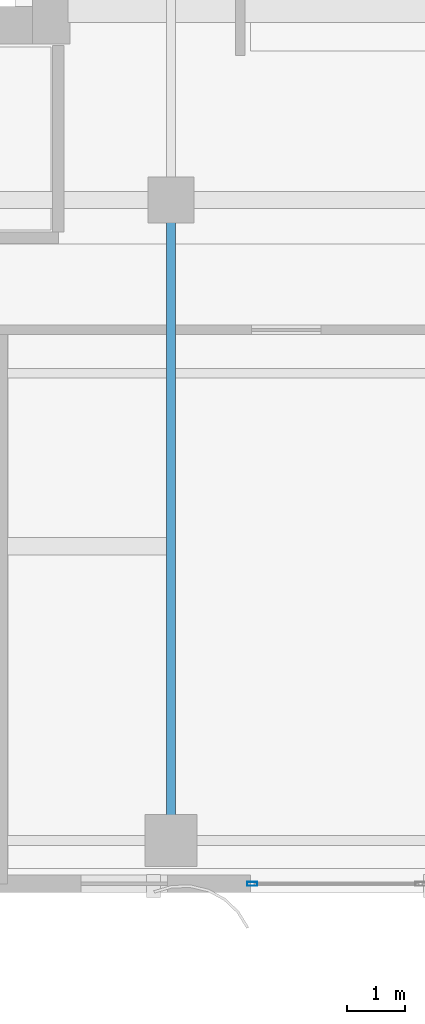
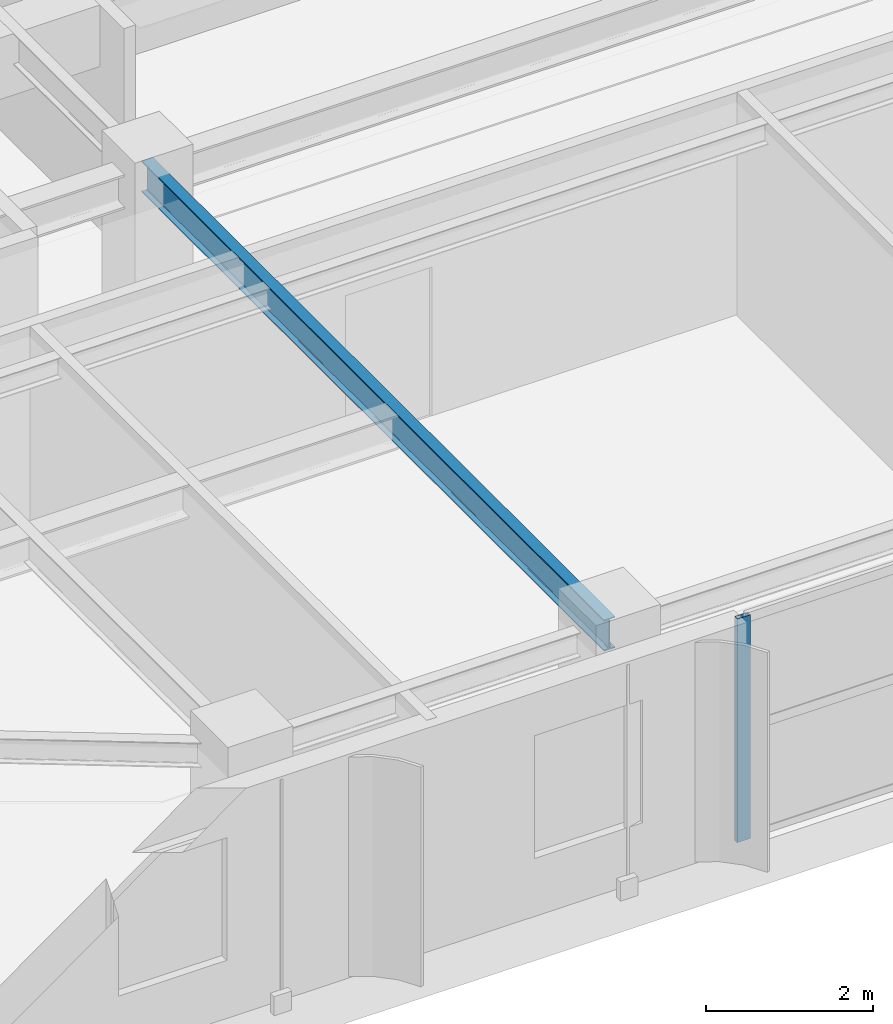
# One storey, part 2 of 25: 1 beam, 1 member, 1 element without a shape of its own.
"""IFC4 building model written with IfcOpenShell, lengths in metres."""

from ifc_helpers import new_model, si_unit, direction, frame, origin, origin_2d, place, context, subcontext, project, spatial, hollow_rectangle, i_section, extrude, source, transform, mapped, material, layer, layer_set, material_profile, profile_set, type_object, element, aggregate, save


model = new_model("IFC4")

# Units and contexts
model_context = context("Model", 3, precision=1e-05, world=origin(), true_north=direction((0.0, 1.0)))
body_context = subcontext(model_context, "Body", "Model", "MODEL_VIEW")
ifc_project = project(units=[si_unit("LENGTHUNIT", "METRE"), si_unit("AREAUNIT", "SQUARE_METRE"), si_unit("VOLUMEUNIT", "CUBIC_METRE"), si_unit("PLANEANGLEUNIT", "RADIAN"), si_unit("MASSUNIT", "GRAM", prefix="KILO")], contexts=[model_context])

# Site, building, storey
site_placement = place(None, origin())
site = spatial("IfcSite", under=ifc_project, at=site_placement, CompositionType="ELEMENT")
building_placement = place(site_placement, origin())
building = spatial("IfcBuilding", under=site, at=building_placement, Name="Khoralis Quay Care Tower", CompositionType="ELEMENT")
storey_placement = place(building_placement, frame((0.0, 0.0, 216.89990234375)))
storey = spatial("IfcBuildingStorey", under=building, at=storey_placement, Name="L57", CompositionType="ELEMENT", Elevation=216.89990234375)

# Beam
ifc_material_1 = material(Name="Steel S355", Category="steel")
ifc_material_profile_1 = material_profile(ifc_material_1, i_section(OverallWidth=0.154052734375, OverallDepth=0.458984375, WebThickness=0.009033203125, FlangeThickness=0.015380859375, FilletRadius=0.014892578125, at=origin_2d()), Name="Steel S355")
ifc_profile_set_1 = profile_set([ifc_material_profile_1], Name="Steel S355")
beam_type = type_object("IfcBeamType", Name="BM-W460X68", PredefinedType="BEAM", material=ifc_profile_set_1)
shared_shape_1 = source(origin(), body_context, "Body", "SweptSolid", [
    extrude(i_section(OverallWidth=0.154052734375, OverallDepth=0.458984375, WebThickness=0.009033203125, FlangeThickness=0.015380859375, FilletRadius=0.014892578125, at=origin_2d()), origin(), (0.0, 0.0, 1.0), 11.10009765625),
])
beam_placement = place(storey_placement, frame((17.10009765625, 0.89990234375, 3.050537109375), z_axis=(0.0, 1.0, 0.0), x_axis=(-1.0, 0.0, 0.0)))
element("IfcBeam", 1, at=beam_placement, inside=storey, type_object=beam_type, Name="BM-TGYS-L57-171", PredefinedType="BEAM", context=body_context, shape_type="MappedRepresentation", body=[
    mapped(shared_shape_1, transform((0.0, 0.0, 0.0), scale=1.0)),
])

# Curtain wall, member
ifc_material_2 = material(Name="Pale anodised aluminium", Category="aluminium")
ifc_layer = layer(ifc_material_2, 0.159912109375)
ifc_layer_set = layer_set([ifc_layer], Name="Pale anodised aluminium")
curtain_wall_type = type_object("IfcCurtainWallType", Name="CW-SYS-Z3", PredefinedType="NOTDEFINED", material=ifc_layer_set)
curtain_wall_placement = place(storey_placement, origin())
curtain_wall = element("IfcCurtainWall", 2, at=curtain_wall_placement, inside=storey, type_object=curtain_wall_type, Name="L57 Unitised Curtain Wall CW-L57-P1-E0", PredefinedType="NOTDEFINED")
ifc_material_profile_2 = material_profile(ifc_material_2, hollow_rectangle(XDim=0.06494140625, YDim=0.179931640625, WallThickness=0.00390625, at=origin_2d()), Name="Pale anodised aluminium")
ifc_profile_set_2 = profile_set([ifc_material_profile_2], Name="Pale anodised aluminium")
member_type = type_object("IfcMemberType", Name="CW-MUL-180", PredefinedType="MULLION", material=ifc_profile_set_2)
shared_shape_2 = source(origin(), body_context, "Body", "SweptSolid", [
    extrude(hollow_rectangle(XDim=0.06494140625, YDim=0.179931640625, WallThickness=0.00390625, at=origin_2d()), origin(), (0.0, 0.0, 1.0), 3.280029296875),
])
member_placement = place(storey_placement, frame((18.510009765625, 0.14990234375, 0.0), z_axis=(0.0, 0.0, 1.0), x_axis=(0.0, 1.0, 0.0)))
member = element("IfcMember", 3, at=member_placement, type_object=member_type, Name="CW3 mullion 1", PredefinedType="MULLION", context=body_context, shape_type="MappedRepresentation", body=[
    mapped(shared_shape_2, transform((0.0, 0.0, 0.0), scale=1.0)),
])
aggregate(curtain_wall, [member])

save(model, "model.ifc")
